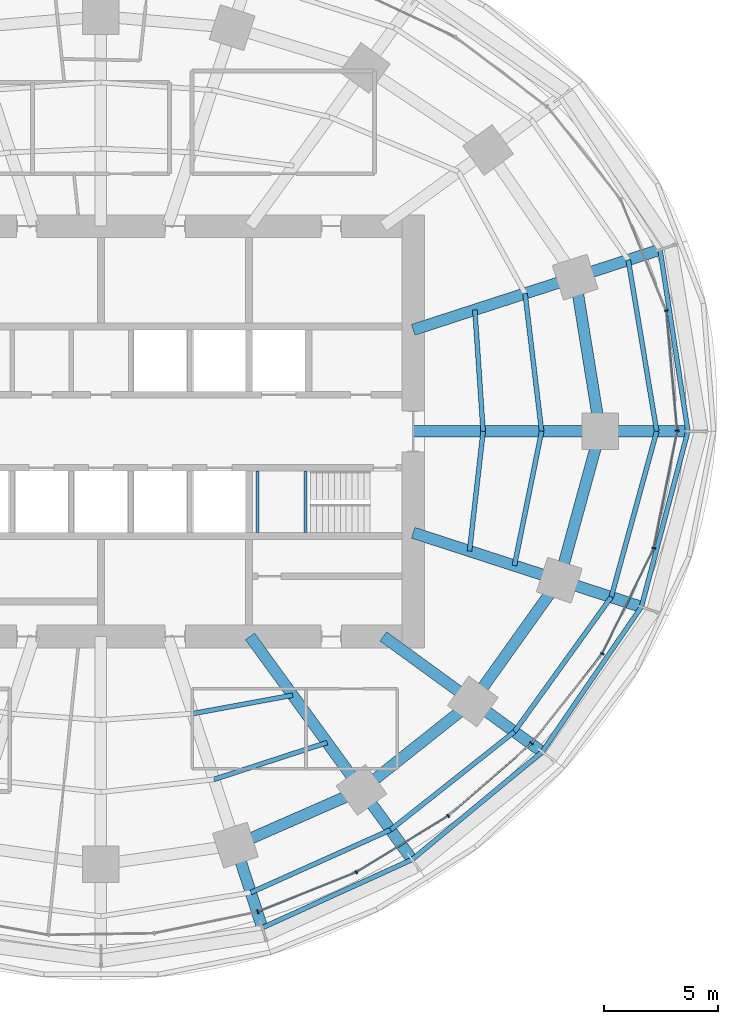
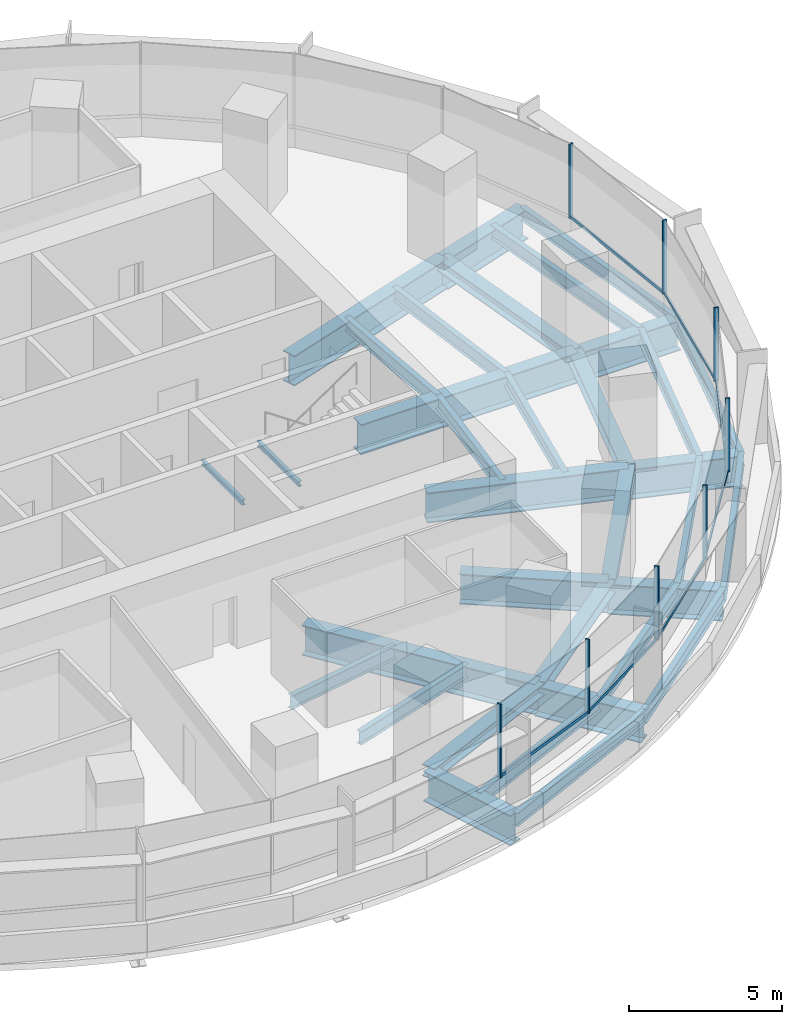
# One storey, part 5 of 15: 29 beams, 20 members, 3 elements without a shape of their own.
"""IFC4 building model written with IfcOpenShell, lengths in metres."""

from ifc_helpers import new_model, si_unit, direction, frame, origin, origin_2d, place, context, subcontext, project, spatial, rectangle, i_section, extrude, material, material_profile, profile_set, type_object, element, aggregate, save


model = new_model("IFC4")

# Units and contexts
model_context = context("Model", 3, precision=1e-05, world=origin(), true_north=direction((0.0, 1.0)))
body_context = subcontext(model_context, "Body", "Model", "MODEL_VIEW")
ifc_project = project(units=[si_unit("LENGTHUNIT", "METRE"), si_unit("AREAUNIT", "SQUARE_METRE"), si_unit("VOLUMEUNIT", "CUBIC_METRE"), si_unit("PLANEANGLEUNIT", "RADIAN"), si_unit("MASSUNIT", "GRAM", prefix="KILO")], contexts=[model_context])

# Site, building, storey
site_placement = place(None, origin())
site = spatial("IfcSite", under=ifc_project, at=site_placement, CompositionType="ELEMENT")
building_placement = place(site_placement, origin())
building = spatial("IfcBuilding", under=site, at=building_placement, Name="Marramba Exchange Tower", CompositionType="ELEMENT")
storey_placement = place(building_placement, frame((0.0, 0.0, 92.39990234375)))
storey = spatial("IfcBuildingStorey", under=building, at=storey_placement, Name="L21", CompositionType="ELEMENT", Elevation=92.39990234375)

# Members
ifc_material_1 = material(Name="Steel AS/NZS 3679.2 grade 300", Category="steel")
ifc_material_profile_1 = material_profile(ifc_material_1, i_section(OverallWidth=0.5, OverallDepth=0.47998046875, WebThickness=0.0400390625, FlangeThickness=0.0400390625, at=origin_2d()), Name="500WC440")
ifc_profile_set_1 = profile_set([ifc_material_profile_1], Name="Steel AS/NZS 3679.2 grade 300")
member_type_1 = type_object("IfcMemberType", Name="Belt truss chord 500WC440", PredefinedType="CHORD", material=ifc_profile_set_1)
member_1_placement = place(storey_placement, frame((21.89990234375, 0.0, -0.43994140625), z_axis=(-0.159384865399, 0.987216523708, 0.0), x_axis=(-0.987216523708, -0.159384865399, 0.0)))
element("IfcMember", 1, at=member_1_placement, inside=storey, type_object=member_type_1, Name="Belt chord L21 TC01-TC02", PredefinedType="CHORD", context=body_context, shape_type="SweptSolid", body=[
    extrude(i_section(OverallWidth=0.5, OverallDepth=0.47998046875, WebThickness=0.0400390625, FlangeThickness=0.0400390625, at=origin_2d()), origin(), (0.0, 0.0, 1.0), 6.8486328125),
])
member_2_placement = place(storey_placement, frame((5.899658203125, -18.156982421875, -0.43994140625), z_axis=(0.915876892158, 0.4014592363, 0.0), x_axis=(-0.4014592363, 0.915876892158, 0.0)))
element("IfcMember", 2, at=member_2_placement, inside=storey, type_object=member_type_1, Name="Belt chord L21 TC17-TC18", PredefinedType="CHORD", context=body_context, shape_type="SweptSolid", body=[
    extrude(i_section(OverallWidth=0.5, OverallDepth=0.47998046875, WebThickness=0.0400390625, FlangeThickness=0.0400390625, at=origin_2d()), origin(), (0.0, 0.0, 1.0), 6.038818359375),
])
member_3_placement = place(storey_placement, frame((11.430419921875, -15.732666015625, -0.43994140625), z_axis=(0.783139438128, 0.621846138887, 0.0), x_axis=(-0.621846138887, 0.783139438128, 0.0)))
element("IfcMember", 3, at=member_3_placement, inside=storey, type_object=member_type_1, Name="Belt chord L21 TC18-TC19", PredefinedType="CHORD", context=body_context, shape_type="SweptSolid", body=[
    extrude(i_section(OverallWidth=0.5, OverallDepth=0.47998046875, WebThickness=0.0400390625, FlangeThickness=0.0400390625, at=origin_2d()), origin(), (0.0, 0.0, 1.0), 6.23779296875),
])
member_4_placement = place(storey_placement, frame((16.3154296875, -11.853759765625, -0.43994140625), z_axis=(0.580637181111, 0.814162430914, 0.0), x_axis=(-0.814162430914, 0.580637181111, 0.0)))
element("IfcMember", 4, at=member_4_placement, inside=storey, type_object=member_type_1, Name="Belt chord L21 TC19-TC20", PredefinedType="CHORD", context=body_context, shape_type="SweptSolid", body=[
    extrude(i_section(OverallWidth=0.5, OverallDepth=0.47998046875, WebThickness=0.0400390625, FlangeThickness=0.0400390625, at=origin_2d()), origin(), (0.0, 0.0, 1.0), 6.5341796875),
])
member_5_placement = place(storey_placement, frame((20.109375, -6.533935546875, -0.43994140625), z_axis=(0.264291166956, 0.964442937176, 0.0), x_axis=(-0.964442937176, 0.264291166956, 0.0)))
element("IfcMember", 5, at=member_5_placement, inside=storey, type_object=member_type_1, Name="Belt chord L21 TC20-TC01", PredefinedType="CHORD", context=body_context, shape_type="SweptSolid", body=[
    extrude(i_section(OverallWidth=0.5, OverallDepth=0.47998046875, WebThickness=0.0400390625, FlangeThickness=0.0400390625, at=origin_2d()), origin(), (0.0, 0.0, 1.0), 6.77490234375),
])

# Beams
ifc_material_profile_2 = material_profile(ifc_material_1, i_section(OverallWidth=0.5, OverallDepth=1.199951171875, WebThickness=0.01611328125, FlangeThickness=0.0400390625, at=origin_2d()), Name="1200WB455")
ifc_profile_set_2 = profile_set([ifc_material_profile_2], Name="Steel AS/NZS 3679.2 grade 300")
beam_type_1 = type_object("IfcBeamType", Name="Cantilever girder 1200WB455", PredefinedType="BEAM", material=ifc_profile_set_2)
beam_1_placement = place(storey_placement, frame((21.89990234375, 0.0, -0.849853515625), z_axis=(1.0, 0.0, 0.0), x_axis=(0.0, 1.0, 0.0)))
element("IfcBeam", 6, at=beam_1_placement, inside=storey, type_object=beam_type_1, Name="Cantilever girder L21 TC01", PredefinedType="BEAM", context=body_context, shape_type="SweptSolid", body=[
    extrude(i_section(OverallWidth=0.5, OverallDepth=1.199951171875, WebThickness=0.01611328125, FlangeThickness=0.0400390625, at=origin_2d()), origin(), (0.0, 0.0, 1.0), 3.85009765625),
])
beam_2_placement = place(storey_placement, frame((20.808349609375, 6.760986328125, -0.849853515625), z_axis=(0.951058833549, 0.309009862508, 0.0), x_axis=(-0.309009862508, 0.951058833549, 0.0)))
element("IfcBeam", 7, at=beam_2_placement, inside=storey, type_object=beam_type_1, Name="Cantilever girder L21 TC02", PredefinedType="BEAM", context=body_context, shape_type="SweptSolid", body=[
    extrude(i_section(OverallWidth=0.5, OverallDepth=1.199951171875, WebThickness=0.01611328125, FlangeThickness=0.0400390625, at=origin_2d()), origin(), (0.0, 0.0, 1.0), 3.91162109375),
])
beam_3_placement = place(storey_placement, frame((5.899658203125, -18.156982421875, -0.849853515625), z_axis=(0.309009272901, -0.951059025119, 0.0), x_axis=(0.951059025119, 0.309009272901, 0.0)))
element("IfcBeam", 8, at=beam_3_placement, inside=storey, type_object=beam_type_1, Name="Cantilever girder L21 TC17", PredefinedType="BEAM", context=body_context, shape_type="SweptSolid", body=[
    extrude(i_section(OverallWidth=0.5, OverallDepth=1.199951171875, WebThickness=0.01611328125, FlangeThickness=0.0400390625, at=origin_2d()), origin(), (0.0, 0.0, 1.0), 3.809814453125),
])
beam_4_placement = place(storey_placement, frame((11.430419921875, -15.732666015625, -0.849853515625), z_axis=(0.587787232741, -0.809015555491, 0.0), x_axis=(0.809015555491, 0.587787232741, 0.0)))
element("IfcBeam", 9, at=beam_4_placement, inside=storey, type_object=beam_type_1, Name="Cantilever girder L21 TC18", PredefinedType="BEAM", context=body_context, shape_type="SweptSolid", body=[
    extrude(i_section(OverallWidth=0.5, OverallDepth=1.199951171875, WebThickness=0.01611328125, FlangeThickness=0.0400390625, at=origin_2d()), origin(), (0.0, 0.0, 1.0), 3.7763671875),
])
beam_5_placement = place(storey_placement, frame((16.3154296875, -11.853759765625, -0.849853515625), z_axis=(0.809008346081, -0.587797155463, 0.0), x_axis=(0.587797155463, 0.809008346081, 0.0)))
element("IfcBeam", 10, at=beam_5_placement, inside=storey, type_object=beam_type_1, Name="Cantilever girder L21 TC19", PredefinedType="BEAM", context=body_context, shape_type="SweptSolid", body=[
    extrude(i_section(OverallWidth=0.5, OverallDepth=1.199951171875, WebThickness=0.01611328125, FlangeThickness=0.0400390625, at=origin_2d()), origin(), (0.0, 0.0, 1.0), 3.76025390625),
])
beam_6_placement = place(storey_placement, frame((20.109375, -6.533935546875, -0.849853515625), z_axis=(0.951048759501, -0.309040866314, 0.0), x_axis=(0.309040866314, 0.951048759501, 0.0)))
element("IfcBeam", 11, at=beam_6_placement, inside=storey, type_object=beam_type_1, Name="Cantilever girder L21 TC20", PredefinedType="BEAM", context=body_context, shape_type="SweptSolid", body=[
    extrude(i_section(OverallWidth=0.5, OverallDepth=1.199951171875, WebThickness=0.01611328125, FlangeThickness=0.0400390625, at=origin_2d()), origin(), (0.0, 0.0, 1.0), 3.78564453125),
])
ifc_material_2 = material(Name="Steel AS/NZS 3679.1 grade 300", Category="steel")
ifc_material_profile_3 = material_profile(ifc_material_2, i_section(OverallWidth=0.208984375, OverallDepth=0.532958984375, WebThickness=0.01025390625, FlangeThickness=0.015625, FilletRadius=0.013916015625, at=origin_2d()), Name="530UB92.4")
ifc_profile_set_3 = profile_set([ifc_material_profile_3], Name="Steel AS/NZS 3679.1 grade 300")
beam_type_2 = type_object("IfcBeamType", Name="Floor joist 530UB92.4", PredefinedType="JOIST", material=ifc_profile_set_3)
beam_7_placement = place(storey_placement, frame((16.7666015625, 0.0, -0.46630859375), z_axis=(-0.068096259546, 0.99767875563, 0.0), x_axis=(-0.99767875563, -0.068096259546, 0.0)))
element("IfcBeam", 12, at=beam_7_placement, inside=storey, type_object=beam_type_2, Name="Joist L21 bay 01 row 1", PredefinedType="JOIST", context=body_context, shape_type="SweptSolid", body=[
    extrude(i_section(OverallWidth=0.208984375, OverallDepth=0.532958984375, WebThickness=0.01025390625, FlangeThickness=0.015625, FilletRadius=0.013916015625, at=origin_2d()), origin(), (0.0, 0.0, 1.0), 5.342041015625),
])
beam_8_placement = place(storey_placement, frame((19.333251953125, 0.0, -0.46630859375), z_axis=(-0.119523078538, 0.992831422597, 0.0), x_axis=(-0.992831422597, -0.119523078538, 0.0)))
element("IfcBeam", 13, at=beam_8_placement, inside=storey, type_object=beam_type_2, Name="Joist L21 bay 01 row 2", PredefinedType="JOIST", context=body_context, shape_type="SweptSolid", body=[
    extrude(i_section(OverallWidth=0.208984375, OverallDepth=0.532958984375, WebThickness=0.01025390625, FlangeThickness=0.015625, FilletRadius=0.013916015625, at=origin_2d()), origin(), (0.0, 0.0, 1.0), 6.089111328125),
])
beam_9_placement = place(storey_placement, frame((4.0244140625, -12.3857421875, -0.46630859375), z_axis=(0.983455754421, 0.181148500119, 0.0), x_axis=(-0.181148500119, 0.983455754421, 0.0)))
element("IfcBeam", 14, at=beam_9_placement, inside=storey, type_object=beam_type_2, Name="Joist L21 bay 17 row 1", PredefinedType="JOIST", context=body_context, shape_type="SweptSolid", body=[
    extrude(i_section(OverallWidth=0.208984375, OverallDepth=0.532958984375, WebThickness=0.01025390625, FlangeThickness=0.015625, FilletRadius=0.013916015625, at=origin_2d()), origin(), (0.0, 0.0, 1.0), 4.4609375),
])
beam_10_placement = place(storey_placement, frame((4.9619140625, -15.271484375, -0.46630859375), z_axis=(0.950764024931, 0.309915744834, 0.0), x_axis=(-0.309915744834, 0.950764024931, 0.0)))
element("IfcBeam", 15, at=beam_10_placement, inside=storey, type_object=beam_type_2, Name="Joist L21 bay 17 row 2", PredefinedType="JOIST", context=body_context, shape_type="SweptSolid", body=[
    extrude(i_section(OverallWidth=0.208984375, OverallDepth=0.532958984375, WebThickness=0.01025390625, FlangeThickness=0.015625, FilletRadius=0.013916015625, at=origin_2d()), origin(), (0.0, 0.0, 1.0), 5.2158203125),
])
beam_11_placement = place(storey_placement, frame((16.169677734375, -5.25390625, -0.46630859375), z_axis=(0.112888968594, 0.993607609054, 0.0), x_axis=(-0.993607609054, 0.112888968594, 0.0)))
element("IfcBeam", 16, at=beam_11_placement, inside=storey, type_object=beam_type_2, Name="Joist L21 bay 20 row 1", PredefinedType="JOIST", context=body_context, shape_type="SweptSolid", body=[
    extrude(i_section(OverallWidth=0.208984375, OverallDepth=0.532958984375, WebThickness=0.01025390625, FlangeThickness=0.015625, FilletRadius=0.013916015625, at=origin_2d()), origin(), (0.0, 0.0, 1.0), 5.28759765625),
])
beam_12_placement = place(storey_placement, frame((18.1396484375, -5.893798828125, -0.46630859375), z_axis=(0.198489047047, 0.980103105904, 0.0), x_axis=(-0.980103105904, 0.198489047047, 0.0)))
element("IfcBeam", 17, at=beam_12_placement, inside=storey, type_object=beam_type_2, Name="Joist L21 bay 20 row 2", PredefinedType="JOIST", context=body_context, shape_type="SweptSolid", body=[
    extrude(i_section(OverallWidth=0.208984375, OverallDepth=0.532958984375, WebThickness=0.01025390625, FlangeThickness=0.015625, FilletRadius=0.013916015625, at=origin_2d()), origin(), (0.0, 0.0, 1.0), 6.013427734375),
])

# Curtain wall, members
ifc_material_3 = material(Name="Aluminium framing, bronze anodised", Category="aluminium")
curtain_wall_type = type_object("IfcCurtainWallType", Name="Office ribbon curtain wall", PredefinedType="USERDEFINED", material=ifc_material_3)
curtain_wall_1_placement = place(storey_placement, origin())
curtain_wall_1 = element("IfcCurtainWall", 18, at=curtain_wall_1_placement, inside=storey, type_object=curtain_wall_type, Name="Curtain wall CW4 L21 F01-F05", ObjectType="RIBBON CURTAIN WALL", PredefinedType="USERDEFINED")
ifc_material_4 = material(Name="Aluminium mullion, bronze anodised", Category="aluminium")
ifc_material_profile_4 = material_profile(ifc_material_4, rectangle(XDim=0.159912109375, YDim=0.06005859375, at=origin_2d()), Name="CW4 mullion 60x160")
ifc_profile_set_4 = profile_set([ifc_material_profile_4], Name="Aluminium mullion, bronze anodised")
member_type_2 = type_object("IfcMemberType", Name="Office ribbon curtain wall mullion", PredefinedType="MULLION", material=ifc_profile_set_4)
member_6_placement = place(storey_placement, frame((25.279296875, 0.02978515625, 0.800048828125), z_axis=(0.0, 0.0, 1.0), x_axis=(-0.995994646311, -0.089412887889, 0.0)))
member_6 = element("IfcMember", 19, at=member_6_placement, type_object=member_type_2, Name="CW4 mullion 1", PredefinedType="MULLION", context=body_context, shape_type="SweptSolid", body=[
    extrude(rectangle(XDim=0.159912109375, YDim=0.06005859375, at=origin_2d()), origin(), (0.0, 0.0, 1.0), 2.93994140625),
])
member_7_placement = place(storey_placement, frame((24.79736328125, 5.301025390625, 0.800048828125), z_axis=(0.0, 0.0, 1.0), x_axis=(-0.925878584668, -0.377821183171, 0.0)))
member_7 = element("IfcMember", 20, at=member_7_placement, type_object=member_type_2, Name="CW4 mullion 1", PredefinedType="MULLION", context=body_context, shape_type="SweptSolid", body=[
    extrude(rectangle(XDim=0.159912109375, YDim=0.06005859375, at=origin_2d()), origin(), (0.0, 0.0, 1.0), 2.93994140625),
])

# Curtain wall, member
curtain_wall_2_placement = place(storey_placement, origin())
curtain_wall_2 = element("IfcCurtainWall", 21, at=curtain_wall_2_placement, inside=storey, type_object=curtain_wall_type, Name="Curtain wall CW4 L21 F21-F25", ObjectType="RIBBON CURTAIN WALL", PredefinedType="USERDEFINED")
member_8_placement = place(storey_placement, frame((6.881103515625, -21.0810546875, 0.800048828125), z_axis=(0.0, 0.0, 1.0), x_axis=(-0.372209067082, 0.928148916059, 0.0)))
member_8 = element("IfcMember", 22, at=member_8_placement, type_object=member_type_2, Name="CW4 mullion 1", PredefinedType="MULLION", context=body_context, shape_type="SweptSolid", body=[
    extrude(rectangle(XDim=0.159912109375, YDim=0.06005859375, at=origin_2d()), origin(), (0.0, 0.0, 1.0), 2.93994140625),
])

# Curtain wall, members
curtain_wall_3_placement = place(storey_placement, origin())
curtain_wall_3 = element("IfcCurtainWall", 23, at=curtain_wall_3_placement, inside=storey, type_object=curtain_wall_type, Name="Curtain wall CW4 L21 F26-F30", ObjectType="RIBBON CURTAIN WALL", PredefinedType="USERDEFINED")
member_9_placement = place(storey_placement, frame((11.2021484375, -19.3427734375, 0.800048828125), z_axis=(0.0, 0.0, 1.0), x_axis=(-0.521732535664, 0.853109114492, 0.0)))
member_9 = element("IfcMember", 24, at=member_9_placement, type_object=member_type_2, Name="CW4 mullion 1", PredefinedType="MULLION", context=body_context, shape_type="SweptSolid", body=[
    extrude(rectangle(XDim=0.159912109375, YDim=0.06005859375, at=origin_2d()), origin(), (0.0, 0.0, 1.0), 2.93994140625),
])
member_10_placement = place(storey_placement, frame((15.232177734375, -16.872314453125, 0.800048828125), z_axis=(0.0, 0.0, 1.0), x_axis=(-0.656431647438, 0.754385506384, 0.0)))
member_10 = element("IfcMember", 25, at=member_10_placement, type_object=member_type_2, Name="CW4 mullion 1", PredefinedType="MULLION", context=body_context, shape_type="SweptSolid", body=[
    extrude(rectangle(XDim=0.159912109375, YDim=0.06005859375, at=origin_2d()), origin(), (0.0, 0.0, 1.0), 2.93994140625),
])
member_11_placement = place(storey_placement, frame((18.886962890625, -13.68505859375, 0.800048828125), z_axis=(0.0, 0.0, 1.0), x_axis=(-0.783170139469, 0.621807472329, 0.0)))
member_11 = element("IfcMember", 26, at=member_11_placement, type_object=member_type_2, Name="CW4 mullion 1", PredefinedType="MULLION", context=body_context, shape_type="SweptSolid", body=[
    extrude(rectangle(XDim=0.159912109375, YDim=0.06005859375, at=origin_2d()), origin(), (0.0, 0.0, 1.0), 2.93994140625),
])
member_12_placement = place(storey_placement, frame((21.994873046875, -9.760009765625, 0.800048828125), z_axis=(0.0, 0.0, 1.0), x_axis=(-0.89844486976, 0.439086342308, 0.0)))
member_12 = element("IfcMember", 27, at=member_12_placement, type_object=member_type_2, Name="CW4 mullion 1", PredefinedType="MULLION", context=body_context, shape_type="SweptSolid", body=[
    extrude(rectangle(XDim=0.159912109375, YDim=0.06005859375, at=origin_2d()), origin(), (0.0, 0.0, 1.0), 2.93994140625),
])
member_13_placement = place(storey_placement, frame((24.252197265625, -5.124267578125, 0.800048828125), z_axis=(0.0, 0.0, 1.0), x_axis=(-0.980393739376, 0.197048511267, 0.0)))
member_13 = element("IfcMember", 28, at=member_13_placement, type_object=member_type_2, Name="CW4 mullion 1", PredefinedType="MULLION", context=body_context, shape_type="SweptSolid", body=[
    extrude(rectangle(XDim=0.159912109375, YDim=0.06005859375, at=origin_2d()), origin(), (0.0, 0.0, 1.0), 2.93994140625),
])

# Member
ifc_material_5 = material(Name="Aluminium transom, bronze anodised", Category="aluminium")
ifc_material_profile_5 = material_profile(ifc_material_5, rectangle(XDim=0.06005859375, YDim=0.1201171875, at=origin_2d()), Name="CW4 transom 60x120")
ifc_profile_set_5 = profile_set([ifc_material_profile_5], Name="Aluminium transom, bronze anodised")
member_type_3 = type_object("IfcMemberType", Name="Office ribbon curtain wall transom", PredefinedType="USERDEFINED", material=ifc_profile_set_5)
member_14_placement = place(storey_placement, frame((25.276611328125, 0.059814453125, 0.830078125), z_axis=(-0.089412838135, 0.995994650777, 0.0), x_axis=(-0.995994650777, -0.089412838135, 0.0)))
member_14 = element("IfcMember", 29, at=member_14_placement, type_object=member_type_3, Name="CW4 sill transom", ObjectType="TRANSOM", PredefinedType="USERDEFINED", context=body_context, shape_type="SweptSolid", body=[
    extrude(rectangle(XDim=0.06005859375, YDim=0.1201171875, at=origin_2d()), origin(), (0.0, 0.0, 1.0), 5.234375),
])

aggregate(curtain_wall_1, [member_6, member_14, member_7])

member_15_placement = place(storey_placement, frame((6.908935546875, -21.06982421875, 0.830078125), z_axis=(0.928146753748, 0.372214459026, 0.0), x_axis=(-0.372214459026, 0.928146753748, 0.0)))
member_15 = element("IfcMember", 30, at=member_15_placement, type_object=member_type_3, Name="CW4 sill transom", ObjectType="TRANSOM", PredefinedType="USERDEFINED", context=body_context, shape_type="SweptSolid", body=[
    extrude(rectangle(XDim=0.06005859375, YDim=0.1201171875, at=origin_2d()), origin(), (0.0, 0.0, 1.0), 4.597900390625),
])

aggregate(curtain_wall_2, [member_8, member_15])

member_16_placement = place(storey_placement, frame((11.227783203125, -19.3271484375, 0.830078125), z_axis=(0.853124051379, 0.52170811088, 0.0), x_axis=(-0.52170811088, 0.853124051379, 0.0)))
member_16 = element("IfcMember", 31, at=member_16_placement, type_object=member_type_3, Name="CW4 sill transom", ObjectType="TRANSOM", PredefinedType="USERDEFINED", context=body_context, shape_type="SweptSolid", body=[
    extrude(rectangle(XDim=0.06005859375, YDim=0.1201171875, at=origin_2d()), origin(), (0.0, 0.0, 1.0), 4.66748046875),
])

member_17_placement = place(storey_placement, frame((15.2548828125, -16.8525390625, 0.830078125), z_axis=(0.754392594189, 0.65642350189, 0.0), x_axis=(-0.65642350189, 0.754392594189, 0.0)))
member_17 = element("IfcMember", 32, at=member_17_placement, type_object=member_type_3, Name="CW4 sill transom", ObjectType="TRANSOM", PredefinedType="USERDEFINED", context=body_context, shape_type="SweptSolid", body=[
    extrude(rectangle(XDim=0.06005859375, YDim=0.1201171875, at=origin_2d()), origin(), (0.0, 0.0, 1.0), 4.78955078125),
])

member_18_placement = place(storey_placement, frame((18.905517578125, -13.66162109375, 0.830078125), z_axis=(0.621777997945, 0.783193540111, 0.0), x_axis=(-0.783193540111, 0.621777997945, 0.0)))
member_18 = element("IfcMember", 33, at=member_18_placement, type_object=member_type_3, Name="CW4 sill transom", ObjectType="TRANSOM", PredefinedType="USERDEFINED", context=body_context, shape_type="SweptSolid", body=[
    extrude(rectangle(XDim=0.06005859375, YDim=0.1201171875, at=origin_2d()), origin(), (0.0, 0.0, 1.0), 4.947265625),
])

member_19_placement = place(storey_placement, frame((22.008056640625, -9.73291015625, 0.830078125), z_axis=(0.439090714557, 0.898442732949, 0.0), x_axis=(-0.898442732949, 0.439090714557, 0.0)))
member_19 = element("IfcMember", 34, at=member_19_placement, type_object=member_type_3, Name="CW4 sill transom", ObjectType="TRANSOM", PredefinedType="USERDEFINED", context=body_context, shape_type="SweptSolid", body=[
    extrude(rectangle(XDim=0.06005859375, YDim=0.1201171875, at=origin_2d()), origin(), (0.0, 0.0, 1.0), 5.096923828125),
])

member_20_placement = place(storey_placement, frame((24.258056640625, -5.094970703125, 0.830078125), z_axis=(0.197028520451, 0.980397757101, 0.0), x_axis=(-0.980397757101, 0.197028520451, 0.0)))
member_20 = element("IfcMember", 35, at=member_20_placement, type_object=member_type_3, Name="CW4 sill transom", ObjectType="TRANSOM", PredefinedType="USERDEFINED", context=body_context, shape_type="SweptSolid", body=[
    extrude(rectangle(XDim=0.06005859375, YDim=0.1201171875, at=origin_2d()), origin(), (0.0, 0.0, 1.0), 5.19677734375),
])

aggregate(curtain_wall_3, [member_9, member_16, member_10, member_17, member_11, member_18, member_12, member_19, member_13, member_20])

# Beams
ifc_material_profile_6 = material_profile(ifc_material_1, i_section(OverallWidth=0.5, OverallDepth=1.199951171875, WebThickness=0.01611328125, FlangeThickness=0.0400390625, at=origin_2d()), Name="1200WB455")
ifc_profile_set_6 = profile_set([ifc_material_profile_6], Name="Steel AS/NZS 3679.2 grade 300")
beam_type_3 = type_object("IfcBeamType", Name="Radial girder 1200WB455", PredefinedType="BEAM", material=ifc_profile_set_6)
beam_13_placement = place(storey_placement, frame((13.699951171875, 0.0, -0.7998046875), z_axis=(1.0, 0.0, 0.0), x_axis=(0.0, 1.0, 0.0)))
element("IfcBeam", 36, at=beam_13_placement, inside=storey, type_object=beam_type_3, Name="Radial girder L21 TC01", PredefinedType="BEAM", context=body_context, shape_type="SweptSolid", body=[
    extrude(i_section(OverallWidth=0.5, OverallDepth=1.199951171875, WebThickness=0.01611328125, FlangeThickness=0.0400390625, at=origin_2d()), origin(), (0.0, 0.0, 1.0), 8.199951171875),
])
beam_14_placement = place(storey_placement, frame((13.699951171875, 4.451416015625, -0.7998046875), z_axis=(0.951059990189, 0.309006302624, 0.0), x_axis=(-0.309006302624, 0.951059990189, 0.0)))
element("IfcBeam", 37, at=beam_14_placement, inside=storey, type_object=beam_type_3, Name="Radial girder L21 TC02", PredefinedType="BEAM", context=body_context, shape_type="SweptSolid", body=[
    extrude(i_section(OverallWidth=0.5, OverallDepth=1.199951171875, WebThickness=0.01611328125, FlangeThickness=0.0400390625, at=origin_2d()), origin(), (0.0, 0.0, 1.0), 7.47412109375),
])
beam_15_placement = place(storey_placement, frame((6.538818359375, -9.0, -0.7998046875), z_axis=(0.587787877172, -0.809015087282, 0.0), x_axis=(0.809015087282, 0.587787877172, 0.0)))
element("IfcBeam", 38, at=beam_15_placement, inside=storey, type_object=beam_type_3, Name="Radial girder L21 TC18", PredefinedType="BEAM", context=body_context, shape_type="SweptSolid", body=[
    extrude(i_section(OverallWidth=0.5, OverallDepth=1.199951171875, WebThickness=0.01611328125, FlangeThickness=0.0400390625, at=origin_2d()), origin(), (0.0, 0.0, 1.0), 8.322021484375),
])
beam_16_placement = place(storey_placement, frame((12.387451171875, -9.0, -0.7998046875), z_axis=(0.809025189606, -0.58777397236, 0.0), x_axis=(0.58777397236, 0.809025189606, 0.0)))
element("IfcBeam", 39, at=beam_16_placement, inside=storey, type_object=beam_type_3, Name="Radial girder L21 TC19", PredefinedType="BEAM", context=body_context, shape_type="SweptSolid", body=[
    extrude(i_section(OverallWidth=0.5, OverallDepth=1.199951171875, WebThickness=0.01611328125, FlangeThickness=0.0400390625, at=origin_2d()), origin(), (0.0, 0.0, 1.0), 4.855224609375),
])
beam_17_placement = place(storey_placement, frame((13.699951171875, -4.451416015625, -0.7998046875), z_axis=(0.951057759669, -0.309013167637, 0.0), x_axis=(0.309013167637, 0.951057759669, 0.0)))
element("IfcBeam", 40, at=beam_17_placement, inside=storey, type_object=beam_type_3, Name="Radial girder L21 TC20", PredefinedType="BEAM", context=body_context, shape_type="SweptSolid", body=[
    extrude(i_section(OverallWidth=0.5, OverallDepth=1.199951171875, WebThickness=0.01611328125, FlangeThickness=0.0400390625, at=origin_2d()), origin(), (0.0, 0.0, 1.0), 6.7392578125),
])
ifc_material_profile_7 = material_profile(ifc_material_2, i_section(OverallWidth=0.208984375, OverallDepth=0.528076171875, WebThickness=0.009521484375, FlangeThickness=0.01318359375, FilletRadius=0.013916015625, at=origin_2d()), Name="530UB82.0")
ifc_profile_set_7 = profile_set([ifc_material_profile_7], Name="Steel AS/NZS 3679.1 grade 300")
beam_type_4 = type_object("IfcBeamType", Name="Slab edge beam 530UB82.0", PredefinedType="SPANDREL", material=ifc_profile_set_7)
beam_18_placement = place(storey_placement, frame((25.75, 0.0, -0.513916015625), z_axis=(-0.151490591645, 0.988458699513, 0.0), x_axis=(-0.988458699513, -0.151490591645, 0.0)))
element("IfcBeam", 41, at=beam_18_placement, inside=storey, type_object=beam_type_4, Name="Setback roof edge beam L21 TC01-TC02", PredefinedType="SPANDREL", context=body_context, shape_type="SweptSolid", body=[
    extrude(i_section(OverallWidth=0.208984375, OverallDepth=0.528076171875, WebThickness=0.009521484375, FlangeThickness=0.01318359375, FilletRadius=0.013916015625, at=origin_2d()), origin(), (0.0, 0.0, 1.0), 8.062744140625),
])
beam_19_placement = place(storey_placement, frame((7.076904296875, -21.7802734375, -0.513916015625), z_axis=(0.910126690081, 0.414330071324, 0.0), x_axis=(-0.414330071324, 0.910126690081, 0.0)))
element("IfcBeam", 42, at=beam_19_placement, inside=storey, type_object=beam_type_4, Name="Setback roof edge beam L21 TC17-TC18", PredefinedType="SPANDREL", context=body_context, shape_type="SweptSolid", body=[
    extrude(i_section(OverallWidth=0.208984375, OverallDepth=0.528076171875, WebThickness=0.009521484375, FlangeThickness=0.01318359375, FilletRadius=0.013916015625, at=origin_2d()), origin(), (0.0, 0.0, 1.0), 7.222412109375),
])
beam_20_placement = place(storey_placement, frame((13.650146484375, -18.787841796875, -0.513916015625), z_axis=(0.770353575372, 0.637616945283, 0.0), x_axis=(-0.637616945283, 0.770353575372, 0.0)))
element("IfcBeam", 43, at=beam_20_placement, inside=storey, type_object=beam_type_4, Name="Setback roof edge beam L21 TC18-TC19", PredefinedType="SPANDREL", context=body_context, shape_type="SweptSolid", body=[
    extrude(i_section(OverallWidth=0.208984375, OverallDepth=0.528076171875, WebThickness=0.009521484375, FlangeThickness=0.01318359375, FilletRadius=0.013916015625, at=origin_2d()), origin(), (0.0, 0.0, 1.0), 7.40869140625),
])
beam_21_placement = place(storey_placement, frame((19.357421875, -14.06396484375, -0.513916015625), z_axis=(0.564740697285, 0.82526840775, 0.0), x_axis=(-0.82526840775, 0.564740697285, 0.0)))
element("IfcBeam", 44, at=beam_21_placement, inside=storey, type_object=beam_type_4, Name="Setback roof edge beam L21 TC19-TC20", PredefinedType="SPANDREL", context=body_context, shape_type="SweptSolid", body=[
    extrude(i_section(OverallWidth=0.208984375, OverallDepth=0.528076171875, WebThickness=0.009521484375, FlangeThickness=0.01318359375, FilletRadius=0.013916015625, at=origin_2d()), origin(), (0.0, 0.0, 1.0), 7.706787109375),
])
beam_22_placement = place(storey_placement, frame((23.709716796875, -7.703857421875, -0.513916015625), z_axis=(0.25601296674, 0.966673347549, 0.0), x_axis=(-0.966673347549, 0.25601296674, 0.0)))
element("IfcBeam", 45, at=beam_22_placement, inside=storey, type_object=beam_type_4, Name="Setback roof edge beam L21 TC20-TC01", PredefinedType="SPANDREL", context=body_context, shape_type="SweptSolid", body=[
    extrude(i_section(OverallWidth=0.208984375, OverallDepth=0.528076171875, WebThickness=0.009521484375, FlangeThickness=0.01318359375, FilletRadius=0.013916015625, at=origin_2d()), origin(), (0.0, 0.0, 1.0), 7.969482421875),
])
beam_23_placement = place(storey_placement, frame((24.382080078125, 0.0, -0.4638671875), z_axis=(-0.163791052483, 0.986495053777, 0.0), x_axis=(-0.986495053777, -0.163791052483, 0.0)))
element("IfcBeam", 46, at=beam_23_placement, inside=storey, type_object=beam_type_4, Name="Slab edge beam L21 TC01-TC02", PredefinedType="SPANDREL", context=body_context, shape_type="SweptSolid", body=[
    extrude(i_section(OverallWidth=0.208984375, OverallDepth=0.528076171875, WebThickness=0.009521484375, FlangeThickness=0.01318359375, FilletRadius=0.013916015625, at=origin_2d()), origin(), (0.0, 0.0, 1.0), 7.61962890625),
])
beam_24_placement = place(storey_placement, frame((6.5751953125, -20.236328125, -0.4638671875), z_axis=(0.912379242095, 0.409345964429, 0.0), x_axis=(-0.409345964429, 0.912379242095, 0.0)))
element("IfcBeam", 47, at=beam_24_placement, inside=storey, type_object=beam_type_4, Name="Slab edge beam L21 TC17-TC18", PredefinedType="SPANDREL", context=body_context, shape_type="SweptSolid", body=[
    extrude(i_section(OverallWidth=0.208984375, OverallDepth=0.528076171875, WebThickness=0.009521484375, FlangeThickness=0.01318359375, FilletRadius=0.013916015625, at=origin_2d()), origin(), (0.0, 0.0, 1.0), 6.718017578125),
])
beam_25_placement = place(storey_placement, frame((12.70458984375, -17.486328125, -0.4638671875), z_axis=(0.78378305761, 0.621034716102, 0.0), x_axis=(-0.621034716102, 0.78378305761, 0.0)))
element("IfcBeam", 48, at=beam_25_placement, inside=storey, type_object=beam_type_4, Name="Slab edge beam L21 TC18-TC19", PredefinedType="SPANDREL", context=body_context, shape_type="SweptSolid", body=[
    extrude(i_section(OverallWidth=0.208984375, OverallDepth=0.528076171875, WebThickness=0.009521484375, FlangeThickness=0.01318359375, FilletRadius=0.013916015625, at=origin_2d()), origin(), (0.0, 0.0, 1.0), 6.93505859375),
])
beam_26_placement = place(storey_placement, frame((18.14013671875, -13.179443359375, -0.4638671875), z_axis=(0.58392093716, 0.811810531557, 0.0), x_axis=(-0.811810531557, 0.58392093716, 0.0)))
element("IfcBeam", 49, at=beam_26_placement, inside=storey, type_object=beam_type_4, Name="Slab edge beam L21 TC19-TC20", PredefinedType="SPANDREL", context=body_context, shape_type="SweptSolid", body=[
    extrude(i_section(OverallWidth=0.208984375, OverallDepth=0.528076171875, WebThickness=0.009521484375, FlangeThickness=0.01318359375, FilletRadius=0.013916015625, at=origin_2d()), origin(), (0.0, 0.0, 1.0), 7.274169921875),
])
beam_27_placement = place(storey_placement, frame((22.3876953125, -7.274169921875, -0.4638671875), z_axis=(0.264415379191, 0.964408890071, 0.0), x_axis=(-0.964408890071, 0.264415379191, 0.0)))
element("IfcBeam", 50, at=beam_27_placement, inside=storey, type_object=beam_type_4, Name="Slab edge beam L21 TC20-TC01", PredefinedType="SPANDREL", context=body_context, shape_type="SweptSolid", body=[
    extrude(i_section(OverallWidth=0.208984375, OverallDepth=0.528076171875, WebThickness=0.009521484375, FlangeThickness=0.01318359375, FilletRadius=0.013916015625, at=origin_2d()), origin(), (0.0, 0.0, 1.0), 7.542724609375),
])
ifc_material_profile_8 = material_profile(ifc_material_2, i_section(OverallWidth=0.133056640625, OverallDepth=0.202880859375, WebThickness=0.005859375, FlangeThickness=0.0078125, FilletRadius=0.0087890625, at=origin_2d()), Name="200UB25.4")
ifc_profile_set_8 = profile_set([ifc_material_profile_8], Name="Steel AS/NZS 3679.1 grade 300")
beam_type_5 = type_object("IfcBeamType", Name="Stair landing beam 200UB25.4", PredefinedType="BEAM", material=ifc_profile_set_8)
for number, where, z_axis, x_axis, name in (
    (51, (6.866455078125, -4.449951171875, 1.648681640625), (0.0, 1.0, 0.0), (-1.0, 0.0, 0.0), "Stair landing beam SLB1 ST2 L21 1"),
    (52, (8.9833984375, -4.449951171875, 1.648681640625), (0.0, 1.0, 0.0), (-1.0, 0.0, 0.0), "Stair landing beam SLB1 ST2 L21 2"),
):
    element("IfcBeam", number, at=place(storey_placement, frame(where, z_axis=z_axis, x_axis=x_axis)), inside=storey, type_object=beam_type_5, Name=name, PredefinedType="BEAM", context=body_context, shape_type="SweptSolid", body=[
        extrude(i_section(OverallWidth=0.133056640625, OverallDepth=0.202880859375, WebThickness=0.005859375, FlangeThickness=0.0078125, FilletRadius=0.0087890625, at=origin_2d()), origin(), (0.0, 0.0, 1.0), 2.699951171875),
    ])

save(model, "model.ifc")
